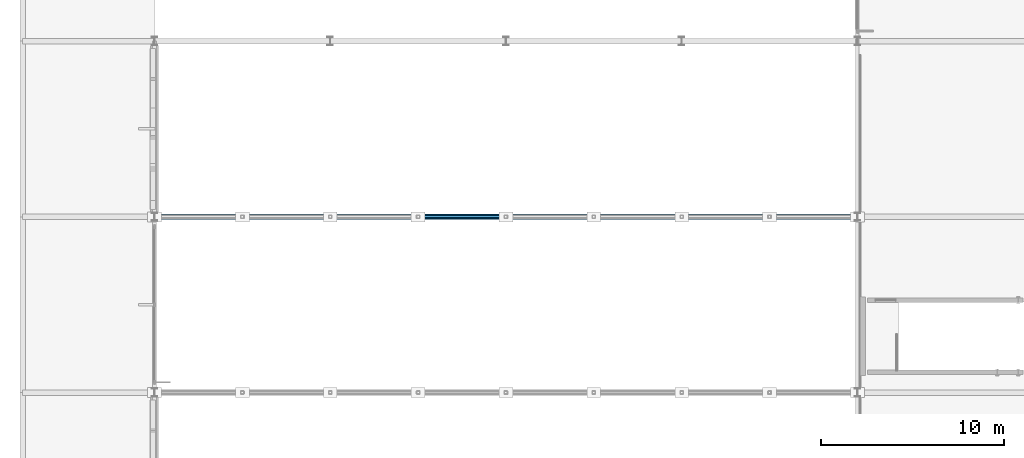
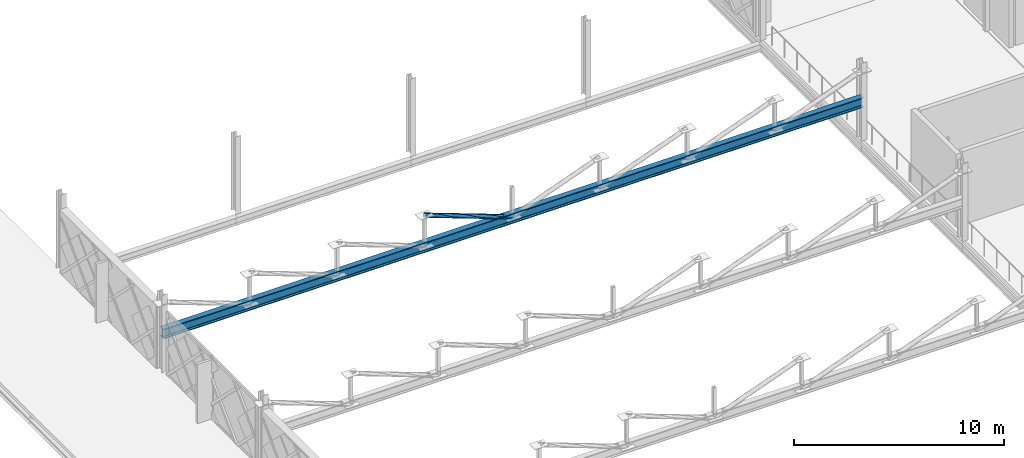
# One storey, part 33 of 101: 2 members.
"""IFC4 building model written with IfcOpenShell, lengths in metres."""

from ifc_helpers import new_model, si_unit, direction, frame, origin, origin_2d, place, context, subcontext, project, spatial, hollow_circle, i_section, extrude, material, material_profile, profile_set, type_object, element, save


model = new_model("IFC4")

# Units and contexts
model_context = context("Model", 3, precision=1e-05, world=origin(), true_north=direction((0.0, 1.0)))
body_context = subcontext(model_context, "Body", "Model", "MODEL_VIEW")
ifc_project = project(units=[si_unit("LENGTHUNIT", "METRE"), si_unit("AREAUNIT", "SQUARE_METRE"), si_unit("VOLUMEUNIT", "CUBIC_METRE"), si_unit("PLANEANGLEUNIT", "RADIAN"), si_unit("MASSUNIT", "GRAM", prefix="KILO")], contexts=[model_context])

# Site, building, storey
site_placement = place(None, origin())
site = spatial("IfcSite", under=ifc_project, at=site_placement, CompositionType="ELEMENT")
building_placement = place(site_placement, origin())
building = spatial("IfcBuilding", under=site, at=building_placement, Name="Zevrakil Square Congress Hotel", CompositionType="ELEMENT")
storey_placement = place(building_placement, frame((0.0, 0.0, 5.39990234375)))
storey = spatial("IfcBuildingStorey", under=building, at=storey_placement, Name="L02", CompositionType="ELEMENT", Elevation=5.39990234375)

# Members
ifc_material_1 = material(Name="Steel S355", Category="steel")
ifc_material_profile_1 = material_profile(ifc_material_1, hollow_circle(Radius=0.122314453125, WallThickness=0.012451171875, at=origin_2d()), Name="CHS 244.5x12.5")
ifc_profile_set_1 = profile_set([ifc_material_profile_1], Name="Steel S355")
member_type_1 = type_object("IfcMemberType", Name="MEM-BRACE-CHS244", PredefinedType="BRACE", material=ifc_profile_set_1)
member_1_placement = place(storey_placement, frame((21.60009765625, 36.0, 3.925048828125), z_axis=(0.937927036135, 0.0, -0.346832632386), x_axis=(0.0, 1.0, 0.0)))
element("IfcMember", 1, at=member_1_placement, inside=storey, type_object=member_type_1, Name="Ballroom Pratt truss diagonal BTD-33", PredefinedType="BRACE", context=body_context, shape_type="SweptSolid", body=[
    extrude(hollow_circle(Radius=0.122314453125, WallThickness=0.012451171875, at=origin_2d()), origin(), (0.0, 0.0, 1.0), 5.117431640625),
])
ifc_material_2 = material(Name="Steel S355", Category="steel")
ifc_material_profile_2 = material_profile(ifc_material_2, i_section(OverallWidth=0.305908203125, OverallDepth=0.572021484375, WebThickness=0.02099609375, FlangeThickness=0.0400390625, FilletRadius=0.027099609375, at=origin_2d()), Name="HEM 550")
ifc_profile_set_2 = profile_set([ifc_material_profile_2], Name="Steel S355")
member_type_2 = type_object("IfcMemberType", Name="MEM-CHORD-HEM550", PredefinedType="CHORD", material=ifc_profile_set_2)
member_2_placement = place(storey_placement, frame((7.199951171875, 36.0, 2.150146484375), z_axis=(1.0, 0.0, 0.0), x_axis=(0.0, 1.0, 0.0)))
element("IfcMember", 2, at=member_2_placement, inside=storey, type_object=member_type_2, Name="Ballroom Pratt truss bottom chord BBC-03", PredefinedType="CHORD", context=body_context, shape_type="SweptSolid", body=[
    extrude(i_section(OverallWidth=0.305908203125, OverallDepth=0.572021484375, WebThickness=0.02099609375, FlangeThickness=0.0400390625, FilletRadius=0.027099609375, at=origin_2d()), origin(), (0.0, 0.0, 1.0), 38.400146484375),
])

save(model, "model.ifc")
